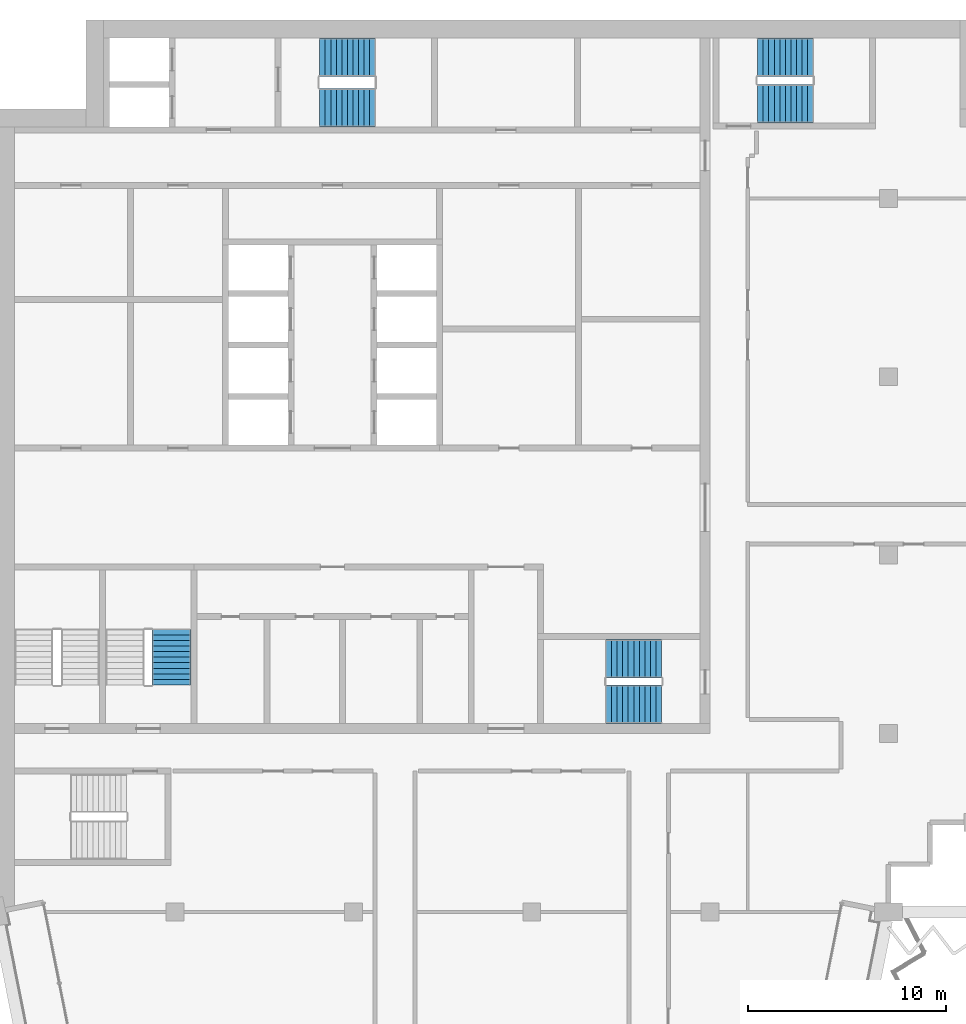
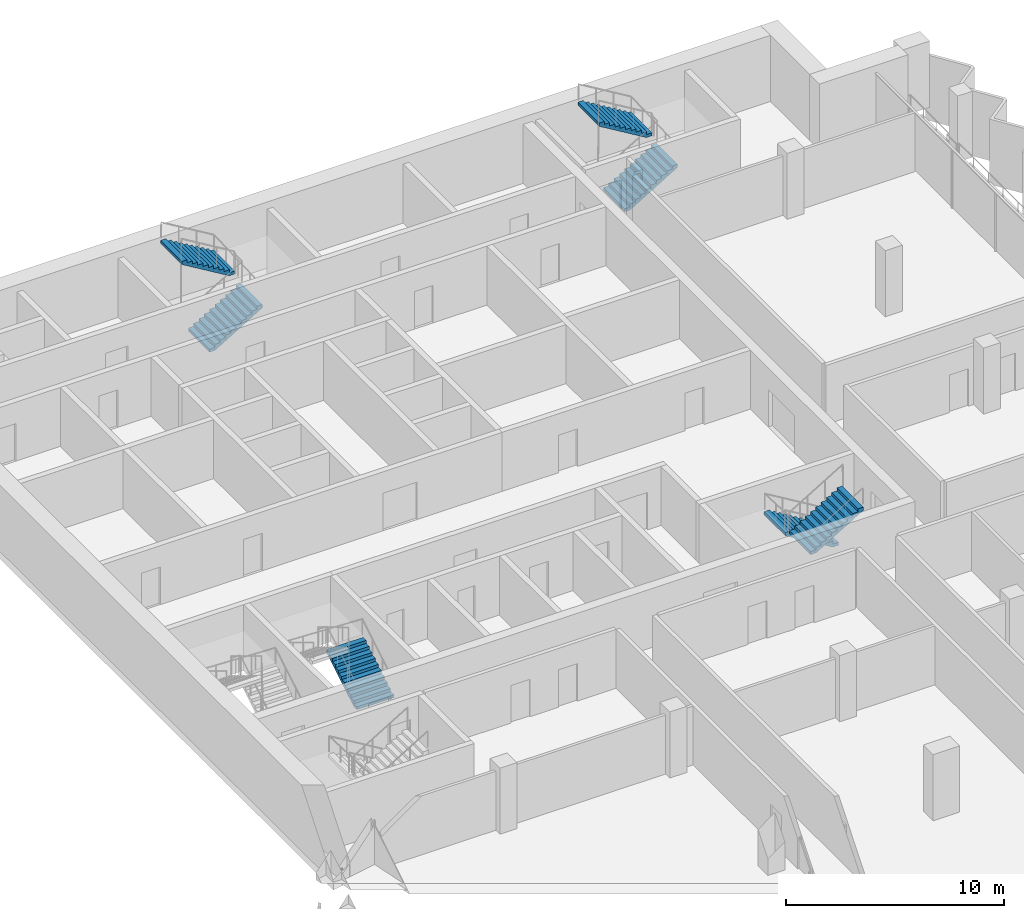
# One storey, part 11 of 14: 7 stair flights, 4 elements without a shape of their own.
"""IFC4 building model written with IfcOpenShell, lengths in metres."""

import ifcopenshell
import ifcopenshell.guid

model = None  # the IFC model being written
_history = None  # IfcOwnerHistory: only IFC2X3 demands one
_inside = {}  # id of a spatial element -> (the spatial element, [elements in it])
_under = {}  # id of a project, library or spatial element -> (it, [spatial elements below it])
_declared = {}  # id of a project -> (the project, [libraries it declares])
_typed = {}  # id of a type object -> (the type object, [elements of that type])
_made_of = {}  # id of a material, layer set ... -> (it, [elements and type objects made of it])


def new_model(schema):
    """Start an empty IFC model of exactly this schema.

    Asked for "IFC4X3", IfcOpenShell would pick the latest addendum, in which some entities
    have other attributes; the version numbers below select the first issue.
    IFC2X3 requires an IfcOwnerHistory on every rooted entity: one is made here for all.
    """
    global model, _history
    if schema == "IFC4X3":
        model = ifcopenshell.file(schema_version=(4, 3, 0, 0))
    else:
        model = ifcopenshell.file(schema=schema)
    _inside.clear()
    _under.clear()
    _declared.clear()
    _typed.clear()
    _made_of.clear()
    _history = None
    if model.schema == "IFC2X3":
        org = make("IfcOrganization", Name="unknown")
        user = make(
            "IfcPersonAndOrganization",
            ThePerson=make("IfcPerson", FamilyName="unknown"),
            TheOrganization=org,
        )
        app = make(
            "IfcApplication",
            ApplicationDeveloper=org,
            Version="unknown",
            ApplicationFullName="unknown",
            ApplicationIdentifier="unknown",
        )
        _history = make(
            "IfcOwnerHistory",
            OwningUser=user,
            OwningApplication=app,
            ChangeAction="ADDED",
            CreationDate=0,
        )
    return model


def make(cls, **values):
    """One entity of the class cls with the attributes given. An attribute that is None is left unset."""
    return model.create_entity(
        cls, **{name: value for name, value in values.items() if value is not None}
    )


def rooted(cls, **values):
    """An entity with a GlobalId (a new one), such as an element, a storey or a relation."""
    return make(cls, GlobalId=ifcopenshell.guid.new(), OwnerHistory=_history, **values)


def si_unit(unit_type, name, prefix=None):
    """IfcSIUnit, for example si_unit("LENGTHUNIT", "METRE", prefix="MILLI")."""
    return make("IfcSIUnit", UnitType=unit_type, Prefix=prefix, Name=name)


def assignment(units):
    """IfcUnitAssignment: the units of a project."""
    return None if units is None else make("IfcUnitAssignment", Units=units)


def point(xyz):
    """IfcCartesianPoint."""
    return None if xyz is None else make("IfcCartesianPoint", Coordinates=xyz)


def direction(xyz):
    """IfcDirection."""
    return None if xyz is None else make("IfcDirection", DirectionRatios=xyz)


def frame(location, z_axis=None, x_axis=None):
    """IfcAxis2Placement3D, a coordinate frame: its origin and axes. An axis left out is left unset."""
    return make(
        "IfcAxis2Placement3D",
        Location=point(location),
        Axis=direction(z_axis),
        RefDirection=direction(x_axis),
    )


def origin():
    """The frame at (0, 0, 0) with its axes left unset."""
    return frame((0.0, 0.0, 0.0))


def place(relative_to, where):
    """IfcLocalPlacement: puts the frame where relative to a parent placement (None: the world)."""
    return make(
        "IfcLocalPlacement", PlacementRelTo=relative_to, RelativePlacement=where
    )


def context(
    kind, dimensions, precision=None, world=None, true_north=None, identifier=None
):
    """IfcGeometricRepresentationContext, for example the 3D "Model" context."""
    return make(
        "IfcGeometricRepresentationContext",
        ContextIdentifier=identifier,
        ContextType=kind,
        CoordinateSpaceDimension=dimensions,
        Precision=precision,
        WorldCoordinateSystem=world,
        TrueNorth=true_north,
    )


def subcontext(parent, identifier, kind, view, scale=None):
    """IfcGeometricRepresentationSubContext, for example "Body" below "Model"."""
    return make(
        "IfcGeometricRepresentationSubContext",
        ContextIdentifier=identifier,
        ContextType=kind,
        ParentContext=parent,
        TargetScale=scale,
        TargetView=view,
    )


def project(units=None, contexts=None):
    """IfcProject with its units and contexts."""
    return rooted(
        "IfcProject",
        Name="project",
        RepresentationContexts=contexts,
        UnitsInContext=assignment(units),
    )


def spatial(cls, under=None, at=None, **own):
    """A site, building, storey or space (cls), placed at a placement, below another one or the project."""
    s = rooted(cls, ObjectPlacement=at, **own)
    if under is not None:
        _under.setdefault(under.id(), (under, []))[1].append(s)
    return s


def polyline(points):
    """IfcPolyline through the points."""
    return make("IfcPolyline", Points=[point(p) for p in points])


def outline(outer, holes=None, kind="AREA"):
    """IfcArbitraryClosedProfileDef: a profile drawn as a closed curve; with holes, ...WithVoids."""
    if holes is None:
        return make("IfcArbitraryClosedProfileDef", ProfileType=kind, OuterCurve=outer)
    return make(
        "IfcArbitraryProfileDefWithVoids",
        ProfileType=kind,
        OuterCurve=outer,
        InnerCurves=holes,
    )


def extrude(swept, where, along, depth):
    """IfcExtrudedAreaSolid: the profile swept, set in the frame where, extruded along a direction by depth."""
    return make(
        "IfcExtrudedAreaSolid",
        SweptArea=swept,
        Position=where,
        ExtrudedDirection=direction(along),
        Depth=depth,
    )


def shape(context_of_items, identifier, shape_type, items):
    """IfcShapeRepresentation: the items that make up one representation, for example the "Body"."""
    return make(
        "IfcShapeRepresentation",
        ContextOfItems=context_of_items,
        RepresentationIdentifier=identifier,
        RepresentationType=shape_type,
        Items=items,
    )


def material(Name=None, Category=None):
    """IfcMaterial."""
    return make("IfcMaterial", Name=Name, Category=Category)


def made_of(thing, what):
    """Note that an element or type object is made of a material, layer set ...; save() writes the relation."""
    if what is not None:
        _made_of.setdefault(what.id(), (what, []))[1].append(thing)
    return thing


def type_object(cls, material=None, **own):
    """A type object (cls), such as IfcWallType, which elements share."""
    return made_of(rooted(cls, **own), material)


def element(
    cls,
    number,
    at=None,
    inside=None,
    cuts=None,
    type_object=None,
    material=None,
    context=None,
    identifier="Body",
    shape_type=None,
    held_by="IfcProductDefinitionShape",
    body=None,
    shapes=None,
    **own,
):
    """One element of the class cls, such as IfcWall. Its Tag is "e" and its number.

    at: its placement. inside: the storey or other place that contains it. cuts: it is an
    opening in that element (IfcRelVoidsElement). A single representation is given by context,
    identifier, shape_type and body (its items); several are given by shapes. held_by: the class
    of the entity that holds the representations. save() writes the other relations.
    """
    e = rooted(cls, Tag="e%d" % number, ObjectPlacement=at, **own)
    if body is not None:
        shapes = [shape(context, identifier, shape_type, body)]
    if shapes is not None:
        e.Representation = make(held_by, Representations=shapes)
    if inside is not None:
        _inside.setdefault(inside.id(), (inside, []))[1].append(e)
    if cuts is not None:
        rooted(
            "IfcRelVoidsElement", RelatingBuildingElement=cuts, RelatedOpeningElement=e
        )
    if type_object is not None:
        _typed.setdefault(type_object.id(), (type_object, []))[1].append(e)
    return made_of(e, material)


def aggregate(whole, parts):
    """IfcRelAggregates: a whole, such as a stair, and the parts it consists of."""
    return rooted("IfcRelAggregates", RelatingObject=whole, RelatedObjects=parts)


def save(model, path):
    """Write the relations noted so far, then the file.

    IfcRelAggregates (storeys below a building ...), IfcRelContainedInSpatialStructure (elements
    in a storey), IfcRelDefinesByType, IfcRelAssociatesMaterial and IfcRelDeclares: one each for
    every whole, place, type object, material and project.
    """
    for whole, parts in _under.values():
        aggregate(whole, parts)
    for where, things in _inside.values():
        rooted(
            "IfcRelContainedInSpatialStructure",
            RelatedElements=things,
            RelatingStructure=where,
        )
    for kind, things in _typed.values():
        rooted("IfcRelDefinesByType", RelatedObjects=things, RelatingType=kind)
    for what, things in _made_of.values():
        rooted("IfcRelAssociatesMaterial", RelatedObjects=things, RelatingMaterial=what)
    for by, libraries in _declared.values():
        rooted("IfcRelDeclares", RelatingContext=by, RelatedDefinitions=libraries)
    model.write(path)


model = new_model("IFC4")

# Units and contexts
model_context = context("Model", 3, precision=1e-05, world=origin(), true_north=direction((0.0, 1.0)))
body_context = subcontext(model_context, "Body", "Model", "MODEL_VIEW")
ifc_project = project(units=[si_unit("LENGTHUNIT", "METRE"), si_unit("AREAUNIT", "SQUARE_METRE"), si_unit("VOLUMEUNIT", "CUBIC_METRE"), si_unit("PLANEANGLEUNIT", "RADIAN"), si_unit("MASSUNIT", "GRAM", prefix="KILO")], contexts=[model_context])

# Site, building, storey
site_placement = place(None, origin())
site = spatial("IfcSite", under=ifc_project, at=site_placement, CompositionType="ELEMENT")
building_placement = place(site_placement, origin())
building = spatial("IfcBuilding", under=site, at=building_placement, Name="Hunhe Ridgeline Campus", CompositionType="ELEMENT")
storey_placement = place(building_placement, frame((0.0, 0.0, 291.89990234375)))
storey = spatial("IfcBuildingStorey", under=building, at=storey_placement, Name="L75", CompositionType="ELEMENT", Elevation=291.89990234375)

# Stair, stair flights
ifc_material = material(Name="Concrete C40", Category="concrete")
stair_type = type_object("IfcStairType", Name="Reinforced concrete dog-leg stair 1950 Concrete C40", PredefinedType="HALF_TURN_STAIR", material=ifc_material)
stair_1_placement = place(storey_placement, origin())
stair_1 = element("IfcStair", 1, at=stair_1_placement, inside=storey, type_object=stair_type, Name="L75 S1", PredefinedType="HALF_TURN_STAIR")
stair_flight_type = type_object("IfcStairFlightType", Name="Reinforced concrete stair flight 1950 Concrete C40", PredefinedType="STRAIGHT", material=ifc_material)
stair_flight_1_placement = place(storey_placement, frame((16.300048828125, 94.574951171875, 0.0), z_axis=(0.0, 0.0, 1.0), x_axis=(1.0, 0.0, 0.0)))
stair_flight_1 = element("IfcStairFlight", 2, at=stair_flight_1_placement, type_object=stair_flight_type, Name="ST1 flight 1", NumberOfRisers=11, NumberOfTreads=10, PredefinedType="STRAIGHT", RiserHeight=0.168181818, TreadLength=0.28, context=body_context, shape_type="SweptSolid", body=[
    extrude(outline(polyline([(0.0, 0.0), (0.0, 0.168212890625), (0.280029296875, 0.168212890625), (0.280029296875, 0.33642578125), (0.56005859375, 0.33642578125), (0.56005859375, 0.504638671875), (0.840087890625, 0.504638671875), (0.840087890625, 0.672607421875), (1.1201171875, 0.672607421875), (1.1201171875, 0.8408203125), (1.39990234375, 0.8408203125), (1.39990234375, 1.009033203125), (1.679931640625, 1.009033203125), (1.679931640625, 1.17724609375), (1.9599609375, 1.17724609375), (1.9599609375, 1.345458984375), (2.239990234375, 1.345458984375), (2.239990234375, 1.513671875), (2.52001953125, 1.513671875), (2.52001953125, 1.681884765625), (2.800048828125, 1.681884765625), (2.800048828125, 1.85009765625), (2.800048828125, 1.5068359375), (0.291015625, 0.0), (0.0, 0.0)])), frame((0.0, 0.97509765625, 0.0), z_axis=(0.0, -1.0, 0.0), x_axis=(1.0, 0.0, 0.0)), (0.0, 0.0, 1.0), 1.949951171875),
    extrude(outline(polyline([(0.030029296875, 0.030029296875), (0.030029296875, 0.13818359375), (0.31005859375, 0.13818359375), (0.31005859375, 0.306396484375), (0.590087890625, 0.306396484375), (0.590087890625, 0.474609375), (0.8701171875, 0.474609375), (0.8701171875, 0.642578125), (1.14990234375, 0.642578125), (1.14990234375, 0.810791015625), (1.429931640625, 0.810791015625), (1.429931640625, 0.97900390625), (1.7099609375, 0.97900390625), (1.7099609375, 1.147216796875), (1.989990234375, 1.147216796875), (1.989990234375, 1.3154296875), (2.27001953125, 1.3154296875), (2.27001953125, 1.483642578125), (2.550048828125, 1.483642578125), (2.550048828125, 1.65185546875), (2.77001953125, 1.65185546875), (2.77001953125, 1.52392578125), (0.28271484375, 0.030029296875), (0.030029296875, 0.030029296875)])), frame((0.0, -0.070068359375, 0.0), z_axis=(0.0, -1.0, 0.0), x_axis=(1.0, 0.0, 0.0)), (0.0, 0.0, 1.0), 0.019775390625),
    extrude(outline(polyline([(0.030029296875, 0.030029296875), (0.030029296875, 0.13818359375), (0.31005859375, 0.13818359375), (0.31005859375, 0.306396484375), (0.590087890625, 0.306396484375), (0.590087890625, 0.474609375), (0.8701171875, 0.474609375), (0.8701171875, 0.642578125), (1.14990234375, 0.642578125), (1.14990234375, 0.810791015625), (1.429931640625, 0.810791015625), (1.429931640625, 0.97900390625), (1.7099609375, 0.97900390625), (1.7099609375, 1.147216796875), (1.989990234375, 1.147216796875), (1.989990234375, 1.3154296875), (2.27001953125, 1.3154296875), (2.27001953125, 1.483642578125), (2.550048828125, 1.483642578125), (2.550048828125, 1.65185546875), (2.77001953125, 1.65185546875), (2.77001953125, 1.52392578125), (0.28271484375, 0.030029296875), (0.030029296875, 0.030029296875)])), frame((0.0, 0.010009765625, 0.0), z_axis=(0.0, -1.0, 0.0), x_axis=(1.0, 0.0, 0.0)), (0.0, 0.0, 1.0), 0.019775390625),
    extrude(outline(polyline([(0.030029296875, 0.030029296875), (0.030029296875, 0.13818359375), (0.31005859375, 0.13818359375), (0.31005859375, 0.306396484375), (0.590087890625, 0.306396484375), (0.590087890625, 0.474609375), (0.8701171875, 0.474609375), (0.8701171875, 0.642578125), (1.14990234375, 0.642578125), (1.14990234375, 0.810791015625), (1.429931640625, 0.810791015625), (1.429931640625, 0.97900390625), (1.7099609375, 0.97900390625), (1.7099609375, 1.147216796875), (1.989990234375, 1.147216796875), (1.989990234375, 1.3154296875), (2.27001953125, 1.3154296875), (2.27001953125, 1.483642578125), (2.550048828125, 1.483642578125), (2.550048828125, 1.65185546875), (2.77001953125, 1.65185546875), (2.77001953125, 1.52392578125), (0.28271484375, 0.030029296875), (0.030029296875, 0.030029296875)])), frame((0.0, 0.090087890625, 0.0), z_axis=(0.0, -1.0, 0.0), x_axis=(1.0, 0.0, 0.0)), (0.0, 0.0, 1.0), 0.019775390625),
])
stair_flight_2_placement = place(storey_placement, frame((19.10009765625, 97.125, 1.85009765625), z_axis=(0.0, 0.0, 1.0), x_axis=(-1.0, 0.0, 0.0)))
stair_flight_2 = element("IfcStairFlight", 3, at=stair_flight_2_placement, type_object=stair_flight_type, Name="ST1 flight 2", NumberOfRisers=11, NumberOfTreads=10, PredefinedType="STRAIGHT", RiserHeight=0.168181818, TreadLength=0.28, context=body_context, shape_type="SweptSolid", body=[
    extrude(outline(polyline([(0.0, 0.0), (0.0, 0.168212890625), (0.280029296875, 0.168212890625), (0.280029296875, 0.33642578125), (0.56005859375, 0.33642578125), (0.56005859375, 0.504638671875), (0.840087890625, 0.504638671875), (0.840087890625, 0.672607421875), (1.1201171875, 0.672607421875), (1.1201171875, 0.8408203125), (1.39990234375, 0.8408203125), (1.39990234375, 1.009033203125), (1.679931640625, 1.009033203125), (1.679931640625, 1.17724609375), (1.9599609375, 1.17724609375), (1.9599609375, 1.345458984375), (2.239990234375, 1.345458984375), (2.239990234375, 1.513671875), (2.52001953125, 1.513671875), (2.52001953125, 1.681884765625), (2.800048828125, 1.681884765625), (2.800048828125, 1.85009765625), (2.800048828125, 1.5068359375), (0.291015625, 0.0), (0.0, 0.0)])), frame((0.0, 0.97509765625, 0.0), z_axis=(0.0, -1.0, 0.0), x_axis=(1.0, 0.0, 0.0)), (0.0, 0.0, 1.0), 1.949951171875),
    extrude(outline(polyline([(0.030029296875, 0.030029296875), (0.030029296875, 0.13818359375), (0.31005859375, 0.13818359375), (0.31005859375, 0.306396484375), (0.590087890625, 0.306396484375), (0.590087890625, 0.474609375), (0.8701171875, 0.474609375), (0.8701171875, 0.642578125), (1.14990234375, 0.642578125), (1.14990234375, 0.810791015625), (1.429931640625, 0.810791015625), (1.429931640625, 0.97900390625), (1.7099609375, 0.97900390625), (1.7099609375, 1.147216796875), (1.989990234375, 1.147216796875), (1.989990234375, 1.3154296875), (2.27001953125, 1.3154296875), (2.27001953125, 1.483642578125), (2.550048828125, 1.483642578125), (2.550048828125, 1.65185546875), (2.77001953125, 1.65185546875), (2.77001953125, 1.52392578125), (0.28271484375, 0.030029296875), (0.030029296875, 0.030029296875)])), frame((0.0, -0.070068359375, 0.0), z_axis=(0.0, -1.0, 0.0), x_axis=(1.0, 0.0, 0.0)), (0.0, 0.0, 1.0), 0.019775390625),
    extrude(outline(polyline([(0.030029296875, 0.030029296875), (0.030029296875, 0.13818359375), (0.31005859375, 0.13818359375), (0.31005859375, 0.306396484375), (0.590087890625, 0.306396484375), (0.590087890625, 0.474609375), (0.8701171875, 0.474609375), (0.8701171875, 0.642578125), (1.14990234375, 0.642578125), (1.14990234375, 0.810791015625), (1.429931640625, 0.810791015625), (1.429931640625, 0.97900390625), (1.7099609375, 0.97900390625), (1.7099609375, 1.147216796875), (1.989990234375, 1.147216796875), (1.989990234375, 1.3154296875), (2.27001953125, 1.3154296875), (2.27001953125, 1.483642578125), (2.550048828125, 1.483642578125), (2.550048828125, 1.65185546875), (2.77001953125, 1.65185546875), (2.77001953125, 1.52392578125), (0.28271484375, 0.030029296875), (0.030029296875, 0.030029296875)])), frame((0.0, 0.010009765625, 0.0), z_axis=(0.0, -1.0, 0.0), x_axis=(1.0, 0.0, 0.0)), (0.0, 0.0, 1.0), 0.019775390625),
    extrude(outline(polyline([(0.030029296875, 0.030029296875), (0.030029296875, 0.13818359375), (0.31005859375, 0.13818359375), (0.31005859375, 0.306396484375), (0.590087890625, 0.306396484375), (0.590087890625, 0.474609375), (0.8701171875, 0.474609375), (0.8701171875, 0.642578125), (1.14990234375, 0.642578125), (1.14990234375, 0.810791015625), (1.429931640625, 0.810791015625), (1.429931640625, 0.97900390625), (1.7099609375, 0.97900390625), (1.7099609375, 1.147216796875), (1.989990234375, 1.147216796875), (1.989990234375, 1.3154296875), (2.27001953125, 1.3154296875), (2.27001953125, 1.483642578125), (2.550048828125, 1.483642578125), (2.550048828125, 1.65185546875), (2.77001953125, 1.65185546875), (2.77001953125, 1.52392578125), (0.28271484375, 0.030029296875), (0.030029296875, 0.030029296875)])), frame((0.0, 0.090087890625, 0.0), z_axis=(0.0, -1.0, 0.0), x_axis=(1.0, 0.0, 0.0)), (0.0, 0.0, 1.0), 0.019775390625),
])
aggregate(stair_1, [stair_flight_1, stair_flight_2])

stair_2_placement = place(storey_placement, origin())
stair_2 = element("IfcStair", 4, at=stair_2_placement, inside=storey, type_object=stair_type, Name="L75 S2", PredefinedType="HALF_TURN_STAIR")
stair_flight_3_placement = place(storey_placement, frame((33.550048828125, 66.77490234375, 0.0), z_axis=(0.0, 0.0, 1.0), x_axis=(-1.0, 0.0, 0.0)))
stair_flight_3 = element("IfcStairFlight", 5, at=stair_flight_3_placement, type_object=stair_flight_type, Name="ST2 flight 1", NumberOfRisers=11, NumberOfTreads=10, PredefinedType="STRAIGHT", RiserHeight=0.168181818, TreadLength=0.28, context=body_context, shape_type="SweptSolid", body=[
    extrude(outline(polyline([(0.0, 0.0), (0.0, 0.168212890625), (0.280029296875, 0.168212890625), (0.280029296875, 0.33642578125), (0.56005859375, 0.33642578125), (0.56005859375, 0.504638671875), (0.840087890625, 0.504638671875), (0.840087890625, 0.672607421875), (1.1201171875, 0.672607421875), (1.1201171875, 0.8408203125), (1.39990234375, 0.8408203125), (1.39990234375, 1.009033203125), (1.679931640625, 1.009033203125), (1.679931640625, 1.17724609375), (1.9599609375, 1.17724609375), (1.9599609375, 1.345458984375), (2.239990234375, 1.345458984375), (2.239990234375, 1.513671875), (2.52001953125, 1.513671875), (2.52001953125, 1.681884765625), (2.800048828125, 1.681884765625), (2.800048828125, 1.85009765625), (2.800048828125, 1.5068359375), (0.291015625, 0.0), (0.0, 0.0)])), frame((0.0, 0.97509765625, 0.0), z_axis=(0.0, -1.0, 0.0), x_axis=(1.0, 0.0, 0.0)), (0.0, 0.0, 1.0), 1.949951171875),
    extrude(outline(polyline([(0.030029296875, 0.030029296875), (0.030029296875, 0.13818359375), (0.31005859375, 0.13818359375), (0.31005859375, 0.306396484375), (0.590087890625, 0.306396484375), (0.590087890625, 0.474609375), (0.8701171875, 0.474609375), (0.8701171875, 0.642578125), (1.14990234375, 0.642578125), (1.14990234375, 0.810791015625), (1.429931640625, 0.810791015625), (1.429931640625, 0.97900390625), (1.7099609375, 0.97900390625), (1.7099609375, 1.147216796875), (1.989990234375, 1.147216796875), (1.989990234375, 1.3154296875), (2.27001953125, 1.3154296875), (2.27001953125, 1.483642578125), (2.550048828125, 1.483642578125), (2.550048828125, 1.65185546875), (2.77001953125, 1.65185546875), (2.77001953125, 1.52392578125), (0.28271484375, 0.030029296875), (0.030029296875, 0.030029296875)])), frame((0.0, -0.070068359375, 0.0), z_axis=(0.0, -1.0, 0.0), x_axis=(1.0, 0.0, 0.0)), (0.0, 0.0, 1.0), 0.019775390625),
    extrude(outline(polyline([(0.030029296875, 0.030029296875), (0.030029296875, 0.13818359375), (0.31005859375, 0.13818359375), (0.31005859375, 0.306396484375), (0.590087890625, 0.306396484375), (0.590087890625, 0.474609375), (0.8701171875, 0.474609375), (0.8701171875, 0.642578125), (1.14990234375, 0.642578125), (1.14990234375, 0.810791015625), (1.429931640625, 0.810791015625), (1.429931640625, 0.97900390625), (1.7099609375, 0.97900390625), (1.7099609375, 1.147216796875), (1.989990234375, 1.147216796875), (1.989990234375, 1.3154296875), (2.27001953125, 1.3154296875), (2.27001953125, 1.483642578125), (2.550048828125, 1.483642578125), (2.550048828125, 1.65185546875), (2.77001953125, 1.65185546875), (2.77001953125, 1.52392578125), (0.28271484375, 0.030029296875), (0.030029296875, 0.030029296875)])), frame((0.0, 0.010009765625, 0.0), z_axis=(0.0, -1.0, 0.0), x_axis=(1.0, 0.0, 0.0)), (0.0, 0.0, 1.0), 0.019775390625),
    extrude(outline(polyline([(0.030029296875, 0.030029296875), (0.030029296875, 0.13818359375), (0.31005859375, 0.13818359375), (0.31005859375, 0.306396484375), (0.590087890625, 0.306396484375), (0.590087890625, 0.474609375), (0.8701171875, 0.474609375), (0.8701171875, 0.642578125), (1.14990234375, 0.642578125), (1.14990234375, 0.810791015625), (1.429931640625, 0.810791015625), (1.429931640625, 0.97900390625), (1.7099609375, 0.97900390625), (1.7099609375, 1.147216796875), (1.989990234375, 1.147216796875), (1.989990234375, 1.3154296875), (2.27001953125, 1.3154296875), (2.27001953125, 1.483642578125), (2.550048828125, 1.483642578125), (2.550048828125, 1.65185546875), (2.77001953125, 1.65185546875), (2.77001953125, 1.52392578125), (0.28271484375, 0.030029296875), (0.030029296875, 0.030029296875)])), frame((0.0, 0.090087890625, 0.0), z_axis=(0.0, -1.0, 0.0), x_axis=(1.0, 0.0, 0.0)), (0.0, 0.0, 1.0), 0.019775390625),
])
stair_flight_4_placement = place(storey_placement, frame((30.75, 64.47509765625, 1.85009765625), z_axis=(0.0, 0.0, 1.0), x_axis=(1.0, 0.0, 0.0)))
stair_flight_4 = element("IfcStairFlight", 6, at=stair_flight_4_placement, type_object=stair_flight_type, Name="ST2 flight 2", NumberOfRisers=11, NumberOfTreads=10, PredefinedType="STRAIGHT", RiserHeight=0.168181818, TreadLength=0.28, context=body_context, shape_type="SweptSolid", body=[
    extrude(outline(polyline([(0.0, 0.0), (0.0, 0.168212890625), (0.280029296875, 0.168212890625), (0.280029296875, 0.33642578125), (0.56005859375, 0.33642578125), (0.56005859375, 0.504638671875), (0.840087890625, 0.504638671875), (0.840087890625, 0.672607421875), (1.1201171875, 0.672607421875), (1.1201171875, 0.8408203125), (1.39990234375, 0.8408203125), (1.39990234375, 1.009033203125), (1.679931640625, 1.009033203125), (1.679931640625, 1.17724609375), (1.9599609375, 1.17724609375), (1.9599609375, 1.345458984375), (2.239990234375, 1.345458984375), (2.239990234375, 1.513671875), (2.52001953125, 1.513671875), (2.52001953125, 1.681884765625), (2.800048828125, 1.681884765625), (2.800048828125, 1.85009765625), (2.800048828125, 1.5068359375), (0.291015625, 0.0), (0.0, 0.0)])), frame((0.0, 0.97509765625, 0.0), z_axis=(0.0, -1.0, 0.0), x_axis=(1.0, 0.0, 0.0)), (0.0, 0.0, 1.0), 1.949951171875),
    extrude(outline(polyline([(0.030029296875, 0.030029296875), (0.030029296875, 0.13818359375), (0.31005859375, 0.13818359375), (0.31005859375, 0.306396484375), (0.590087890625, 0.306396484375), (0.590087890625, 0.474609375), (0.8701171875, 0.474609375), (0.8701171875, 0.642578125), (1.14990234375, 0.642578125), (1.14990234375, 0.810791015625), (1.429931640625, 0.810791015625), (1.429931640625, 0.97900390625), (1.7099609375, 0.97900390625), (1.7099609375, 1.147216796875), (1.989990234375, 1.147216796875), (1.989990234375, 1.3154296875), (2.27001953125, 1.3154296875), (2.27001953125, 1.483642578125), (2.550048828125, 1.483642578125), (2.550048828125, 1.65185546875), (2.77001953125, 1.65185546875), (2.77001953125, 1.52392578125), (0.28271484375, 0.030029296875), (0.030029296875, 0.030029296875)])), frame((0.0, -0.070068359375, 0.0), z_axis=(0.0, -1.0, 0.0), x_axis=(1.0, 0.0, 0.0)), (0.0, 0.0, 1.0), 0.019775390625),
    extrude(outline(polyline([(0.030029296875, 0.030029296875), (0.030029296875, 0.13818359375), (0.31005859375, 0.13818359375), (0.31005859375, 0.306396484375), (0.590087890625, 0.306396484375), (0.590087890625, 0.474609375), (0.8701171875, 0.474609375), (0.8701171875, 0.642578125), (1.14990234375, 0.642578125), (1.14990234375, 0.810791015625), (1.429931640625, 0.810791015625), (1.429931640625, 0.97900390625), (1.7099609375, 0.97900390625), (1.7099609375, 1.147216796875), (1.989990234375, 1.147216796875), (1.989990234375, 1.3154296875), (2.27001953125, 1.3154296875), (2.27001953125, 1.483642578125), (2.550048828125, 1.483642578125), (2.550048828125, 1.65185546875), (2.77001953125, 1.65185546875), (2.77001953125, 1.52392578125), (0.28271484375, 0.030029296875), (0.030029296875, 0.030029296875)])), frame((0.0, 0.010009765625, 0.0), z_axis=(0.0, -1.0, 0.0), x_axis=(1.0, 0.0, 0.0)), (0.0, 0.0, 1.0), 0.019775390625),
    extrude(outline(polyline([(0.030029296875, 0.030029296875), (0.030029296875, 0.13818359375), (0.31005859375, 0.13818359375), (0.31005859375, 0.306396484375), (0.590087890625, 0.306396484375), (0.590087890625, 0.474609375), (0.8701171875, 0.474609375), (0.8701171875, 0.642578125), (1.14990234375, 0.642578125), (1.14990234375, 0.810791015625), (1.429931640625, 0.810791015625), (1.429931640625, 0.97900390625), (1.7099609375, 0.97900390625), (1.7099609375, 1.147216796875), (1.989990234375, 1.147216796875), (1.989990234375, 1.3154296875), (2.27001953125, 1.3154296875), (2.27001953125, 1.483642578125), (2.550048828125, 1.483642578125), (2.550048828125, 1.65185546875), (2.77001953125, 1.65185546875), (2.77001953125, 1.52392578125), (0.28271484375, 0.030029296875), (0.030029296875, 0.030029296875)])), frame((0.0, 0.090087890625, 0.0), z_axis=(0.0, -1.0, 0.0), x_axis=(1.0, 0.0, 0.0)), (0.0, 0.0, 1.0), 0.019775390625),
])
aggregate(stair_2, [stair_flight_3, stair_flight_4])

# Stair, stair flight
stair_3_placement = place(storey_placement, origin())
stair_3 = element("IfcStair", 7, at=stair_3_placement, inside=storey, type_object=stair_type, Name="L75 S4", PredefinedType="HALF_TURN_STAIR")
stair_flight_5_placement = place(storey_placement, frame((8.824951171875, 65.449951171875, 0.0), z_axis=(0.0, 0.0, 1.0), x_axis=(0.0, 1.0, 0.0)))
stair_flight_5 = element("IfcStairFlight", 8, at=stair_flight_5_placement, type_object=stair_flight_type, Name="ST4 flight 1", NumberOfRisers=11, NumberOfTreads=10, PredefinedType="STRAIGHT", RiserHeight=0.168181818, TreadLength=0.28, context=body_context, shape_type="SweptSolid", body=[
    extrude(outline(polyline([(0.0, 0.0), (0.0, 0.168212890625), (0.280029296875, 0.168212890625), (0.280029296875, 0.33642578125), (0.56005859375, 0.33642578125), (0.56005859375, 0.504638671875), (0.840087890625, 0.504638671875), (0.840087890625, 0.672607421875), (1.1201171875, 0.672607421875), (1.1201171875, 0.8408203125), (1.39990234375, 0.8408203125), (1.39990234375, 1.009033203125), (1.679931640625, 1.009033203125), (1.679931640625, 1.17724609375), (1.9599609375, 1.17724609375), (1.9599609375, 1.345458984375), (2.239990234375, 1.345458984375), (2.239990234375, 1.513671875), (2.52001953125, 1.513671875), (2.52001953125, 1.681884765625), (2.800048828125, 1.681884765625), (2.800048828125, 1.85009765625), (2.800048828125, 1.5068359375), (0.291015625, 0.0), (0.0, 0.0)])), frame((0.0, 0.97509765625, 0.0), z_axis=(0.0, -1.0, 0.0), x_axis=(1.0, 0.0, 0.0)), (0.0, 0.0, 1.0), 1.949951171875),
    extrude(outline(polyline([(0.030029296875, 0.030029296875), (0.030029296875, 0.13818359375), (0.31005859375, 0.13818359375), (0.31005859375, 0.306396484375), (0.590087890625, 0.306396484375), (0.590087890625, 0.474609375), (0.8701171875, 0.474609375), (0.8701171875, 0.642578125), (1.14990234375, 0.642578125), (1.14990234375, 0.810791015625), (1.429931640625, 0.810791015625), (1.429931640625, 0.97900390625), (1.7099609375, 0.97900390625), (1.7099609375, 1.147216796875), (1.989990234375, 1.147216796875), (1.989990234375, 1.3154296875), (2.27001953125, 1.3154296875), (2.27001953125, 1.483642578125), (2.550048828125, 1.483642578125), (2.550048828125, 1.65185546875), (2.77001953125, 1.65185546875), (2.77001953125, 1.52392578125), (0.28271484375, 0.030029296875), (0.030029296875, 0.030029296875)])), frame((0.0, -0.070068359375, 0.0), z_axis=(0.0, -1.0, 0.0), x_axis=(1.0, 0.0, 0.0)), (0.0, 0.0, 1.0), 0.019775390625),
    extrude(outline(polyline([(0.030029296875, 0.030029296875), (0.030029296875, 0.13818359375), (0.31005859375, 0.13818359375), (0.31005859375, 0.306396484375), (0.590087890625, 0.306396484375), (0.590087890625, 0.474609375), (0.8701171875, 0.474609375), (0.8701171875, 0.642578125), (1.14990234375, 0.642578125), (1.14990234375, 0.810791015625), (1.429931640625, 0.810791015625), (1.429931640625, 0.97900390625), (1.7099609375, 0.97900390625), (1.7099609375, 1.147216796875), (1.989990234375, 1.147216796875), (1.989990234375, 1.3154296875), (2.27001953125, 1.3154296875), (2.27001953125, 1.483642578125), (2.550048828125, 1.483642578125), (2.550048828125, 1.65185546875), (2.77001953125, 1.65185546875), (2.77001953125, 1.52392578125), (0.28271484375, 0.030029296875), (0.030029296875, 0.030029296875)])), frame((0.0, 0.010009765625, 0.0), z_axis=(0.0, -1.0, 0.0), x_axis=(1.0, 0.0, 0.0)), (0.0, 0.0, 1.0), 0.019775390625),
    extrude(outline(polyline([(0.030029296875, 0.030029296875), (0.030029296875, 0.13818359375), (0.31005859375, 0.13818359375), (0.31005859375, 0.306396484375), (0.590087890625, 0.306396484375), (0.590087890625, 0.474609375), (0.8701171875, 0.474609375), (0.8701171875, 0.642578125), (1.14990234375, 0.642578125), (1.14990234375, 0.810791015625), (1.429931640625, 0.810791015625), (1.429931640625, 0.97900390625), (1.7099609375, 0.97900390625), (1.7099609375, 1.147216796875), (1.989990234375, 1.147216796875), (1.989990234375, 1.3154296875), (2.27001953125, 1.3154296875), (2.27001953125, 1.483642578125), (2.550048828125, 1.483642578125), (2.550048828125, 1.65185546875), (2.77001953125, 1.65185546875), (2.77001953125, 1.52392578125), (0.28271484375, 0.030029296875), (0.030029296875, 0.030029296875)])), frame((0.0, 0.090087890625, 0.0), z_axis=(0.0, -1.0, 0.0), x_axis=(1.0, 0.0, 0.0)), (0.0, 0.0, 1.0), 0.019775390625),
])
aggregate(stair_3, [stair_flight_5])

# Stair, stair flights
stair_4_placement = place(storey_placement, origin())
stair_4 = element("IfcStair", 9, at=stair_4_placement, inside=storey, type_object=stair_type, Name="L75 E1", PredefinedType="HALF_TURN_STAIR")
stair_flight_6_placement = place(storey_placement, frame((38.39990234375, 94.77490234375, 0.0), z_axis=(0.0, 0.0, 1.0), x_axis=(1.0, 0.0, 0.0)))
stair_flight_6 = element("IfcStairFlight", 10, at=stair_flight_6_placement, type_object=stair_flight_type, Name="ST5 flight 1", NumberOfRisers=11, NumberOfTreads=10, PredefinedType="STRAIGHT", RiserHeight=0.168181818, TreadLength=0.28, context=body_context, shape_type="SweptSolid", body=[
    extrude(outline(polyline([(0.0, 0.0), (0.0, 0.168212890625), (0.280029296875, 0.168212890625), (0.280029296875, 0.33642578125), (0.56005859375, 0.33642578125), (0.56005859375, 0.504638671875), (0.840087890625, 0.504638671875), (0.840087890625, 0.672607421875), (1.1201171875, 0.672607421875), (1.1201171875, 0.8408203125), (1.39990234375, 0.8408203125), (1.39990234375, 1.009033203125), (1.679931640625, 1.009033203125), (1.679931640625, 1.17724609375), (1.9599609375, 1.17724609375), (1.9599609375, 1.345458984375), (2.239990234375, 1.345458984375), (2.239990234375, 1.513671875), (2.52001953125, 1.513671875), (2.52001953125, 1.681884765625), (2.800048828125, 1.681884765625), (2.800048828125, 1.85009765625), (2.800048828125, 1.5068359375), (0.291015625, 0.0), (0.0, 0.0)])), frame((0.0, 0.97509765625, 0.0), z_axis=(0.0, -1.0, 0.0), x_axis=(1.0, 0.0, 0.0)), (0.0, 0.0, 1.0), 1.949951171875),
    extrude(outline(polyline([(0.030029296875, 0.030029296875), (0.030029296875, 0.13818359375), (0.31005859375, 0.13818359375), (0.31005859375, 0.306396484375), (0.590087890625, 0.306396484375), (0.590087890625, 0.474609375), (0.8701171875, 0.474609375), (0.8701171875, 0.642578125), (1.14990234375, 0.642578125), (1.14990234375, 0.810791015625), (1.429931640625, 0.810791015625), (1.429931640625, 0.97900390625), (1.7099609375, 0.97900390625), (1.7099609375, 1.147216796875), (1.989990234375, 1.147216796875), (1.989990234375, 1.3154296875), (2.27001953125, 1.3154296875), (2.27001953125, 1.483642578125), (2.550048828125, 1.483642578125), (2.550048828125, 1.65185546875), (2.77001953125, 1.65185546875), (2.77001953125, 1.52392578125), (0.28271484375, 0.030029296875), (0.030029296875, 0.030029296875)])), frame((0.0, -0.070068359375, 0.0), z_axis=(0.0, -1.0, 0.0), x_axis=(1.0, 0.0, 0.0)), (0.0, 0.0, 1.0), 0.019775390625),
    extrude(outline(polyline([(0.030029296875, 0.030029296875), (0.030029296875, 0.13818359375), (0.31005859375, 0.13818359375), (0.31005859375, 0.306396484375), (0.590087890625, 0.306396484375), (0.590087890625, 0.474609375), (0.8701171875, 0.474609375), (0.8701171875, 0.642578125), (1.14990234375, 0.642578125), (1.14990234375, 0.810791015625), (1.429931640625, 0.810791015625), (1.429931640625, 0.97900390625), (1.7099609375, 0.97900390625), (1.7099609375, 1.147216796875), (1.989990234375, 1.147216796875), (1.989990234375, 1.3154296875), (2.27001953125, 1.3154296875), (2.27001953125, 1.483642578125), (2.550048828125, 1.483642578125), (2.550048828125, 1.65185546875), (2.77001953125, 1.65185546875), (2.77001953125, 1.52392578125), (0.28271484375, 0.030029296875), (0.030029296875, 0.030029296875)])), frame((0.0, 0.010009765625, 0.0), z_axis=(0.0, -1.0, 0.0), x_axis=(1.0, 0.0, 0.0)), (0.0, 0.0, 1.0), 0.019775390625),
    extrude(outline(polyline([(0.030029296875, 0.030029296875), (0.030029296875, 0.13818359375), (0.31005859375, 0.13818359375), (0.31005859375, 0.306396484375), (0.590087890625, 0.306396484375), (0.590087890625, 0.474609375), (0.8701171875, 0.474609375), (0.8701171875, 0.642578125), (1.14990234375, 0.642578125), (1.14990234375, 0.810791015625), (1.429931640625, 0.810791015625), (1.429931640625, 0.97900390625), (1.7099609375, 0.97900390625), (1.7099609375, 1.147216796875), (1.989990234375, 1.147216796875), (1.989990234375, 1.3154296875), (2.27001953125, 1.3154296875), (2.27001953125, 1.483642578125), (2.550048828125, 1.483642578125), (2.550048828125, 1.65185546875), (2.77001953125, 1.65185546875), (2.77001953125, 1.52392578125), (0.28271484375, 0.030029296875), (0.030029296875, 0.030029296875)])), frame((0.0, 0.090087890625, 0.0), z_axis=(0.0, -1.0, 0.0), x_axis=(1.0, 0.0, 0.0)), (0.0, 0.0, 1.0), 0.019775390625),
])
stair_flight_7_placement = place(storey_placement, frame((41.199951171875, 97.125, 1.85009765625), z_axis=(0.0, 0.0, 1.0), x_axis=(-1.0, 0.0, 0.0)))
stair_flight_7 = element("IfcStairFlight", 11, at=stair_flight_7_placement, type_object=stair_flight_type, Name="ST5 flight 2", NumberOfRisers=11, NumberOfTreads=10, PredefinedType="STRAIGHT", RiserHeight=0.168181818, TreadLength=0.28, context=body_context, shape_type="SweptSolid", body=[
    extrude(outline(polyline([(0.0, 0.0), (0.0, 0.168212890625), (0.280029296875, 0.168212890625), (0.280029296875, 0.33642578125), (0.56005859375, 0.33642578125), (0.56005859375, 0.504638671875), (0.840087890625, 0.504638671875), (0.840087890625, 0.672607421875), (1.1201171875, 0.672607421875), (1.1201171875, 0.8408203125), (1.39990234375, 0.8408203125), (1.39990234375, 1.009033203125), (1.679931640625, 1.009033203125), (1.679931640625, 1.17724609375), (1.9599609375, 1.17724609375), (1.9599609375, 1.345458984375), (2.239990234375, 1.345458984375), (2.239990234375, 1.513671875), (2.52001953125, 1.513671875), (2.52001953125, 1.681884765625), (2.800048828125, 1.681884765625), (2.800048828125, 1.85009765625), (2.800048828125, 1.5068359375), (0.291015625, 0.0), (0.0, 0.0)])), frame((0.0, 0.97509765625, 0.0), z_axis=(0.0, -1.0, 0.0), x_axis=(1.0, 0.0, 0.0)), (0.0, 0.0, 1.0), 1.949951171875),
    extrude(outline(polyline([(0.030029296875, 0.030029296875), (0.030029296875, 0.13818359375), (0.31005859375, 0.13818359375), (0.31005859375, 0.306396484375), (0.590087890625, 0.306396484375), (0.590087890625, 0.474609375), (0.8701171875, 0.474609375), (0.8701171875, 0.642578125), (1.14990234375, 0.642578125), (1.14990234375, 0.810791015625), (1.429931640625, 0.810791015625), (1.429931640625, 0.97900390625), (1.7099609375, 0.97900390625), (1.7099609375, 1.147216796875), (1.989990234375, 1.147216796875), (1.989990234375, 1.3154296875), (2.27001953125, 1.3154296875), (2.27001953125, 1.483642578125), (2.550048828125, 1.483642578125), (2.550048828125, 1.65185546875), (2.77001953125, 1.65185546875), (2.77001953125, 1.52392578125), (0.28271484375, 0.030029296875), (0.030029296875, 0.030029296875)])), frame((0.0, -0.070068359375, 0.0), z_axis=(0.0, -1.0, 0.0), x_axis=(1.0, 0.0, 0.0)), (0.0, 0.0, 1.0), 0.019775390625),
    extrude(outline(polyline([(0.030029296875, 0.030029296875), (0.030029296875, 0.13818359375), (0.31005859375, 0.13818359375), (0.31005859375, 0.306396484375), (0.590087890625, 0.306396484375), (0.590087890625, 0.474609375), (0.8701171875, 0.474609375), (0.8701171875, 0.642578125), (1.14990234375, 0.642578125), (1.14990234375, 0.810791015625), (1.429931640625, 0.810791015625), (1.429931640625, 0.97900390625), (1.7099609375, 0.97900390625), (1.7099609375, 1.147216796875), (1.989990234375, 1.147216796875), (1.989990234375, 1.3154296875), (2.27001953125, 1.3154296875), (2.27001953125, 1.483642578125), (2.550048828125, 1.483642578125), (2.550048828125, 1.65185546875), (2.77001953125, 1.65185546875), (2.77001953125, 1.52392578125), (0.28271484375, 0.030029296875), (0.030029296875, 0.030029296875)])), frame((0.0, 0.010009765625, 0.0), z_axis=(0.0, -1.0, 0.0), x_axis=(1.0, 0.0, 0.0)), (0.0, 0.0, 1.0), 0.019775390625),
    extrude(outline(polyline([(0.030029296875, 0.030029296875), (0.030029296875, 0.13818359375), (0.31005859375, 0.13818359375), (0.31005859375, 0.306396484375), (0.590087890625, 0.306396484375), (0.590087890625, 0.474609375), (0.8701171875, 0.474609375), (0.8701171875, 0.642578125), (1.14990234375, 0.642578125), (1.14990234375, 0.810791015625), (1.429931640625, 0.810791015625), (1.429931640625, 0.97900390625), (1.7099609375, 0.97900390625), (1.7099609375, 1.147216796875), (1.989990234375, 1.147216796875), (1.989990234375, 1.3154296875), (2.27001953125, 1.3154296875), (2.27001953125, 1.483642578125), (2.550048828125, 1.483642578125), (2.550048828125, 1.65185546875), (2.77001953125, 1.65185546875), (2.77001953125, 1.52392578125), (0.28271484375, 0.030029296875), (0.030029296875, 0.030029296875)])), frame((0.0, 0.090087890625, 0.0), z_axis=(0.0, -1.0, 0.0), x_axis=(1.0, 0.0, 0.0)), (0.0, 0.0, 1.0), 0.019775390625),
])
aggregate(stair_4, [stair_flight_6, stair_flight_7])

save(model, "model.ifc")
